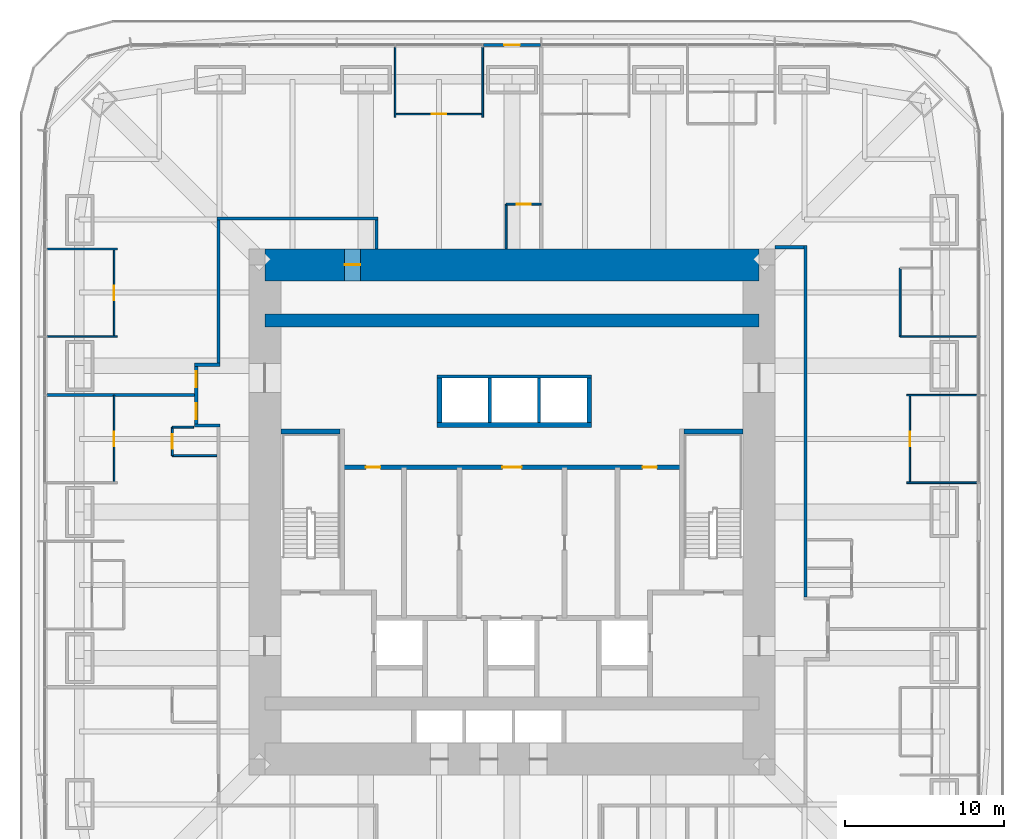
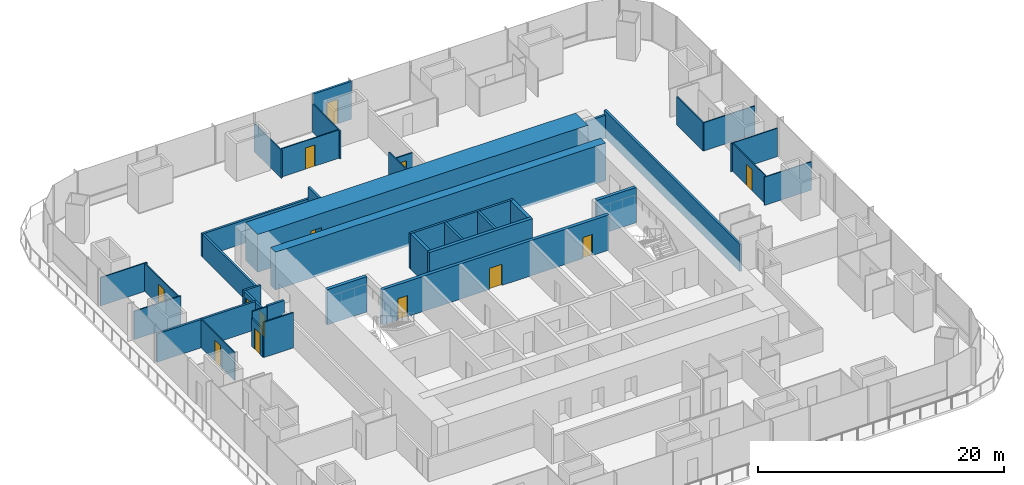
# One storey, part 13 of 16: 38 walls, 13 doors, 13 openings.
"""IFC4 building model written with IfcOpenShell, lengths in metres."""

from ifc_helpers import new_model, si_unit, direction, frame, frame_2d, origin, place, context, subcontext, project, spatial, rectangle, extrude, material, layer, layer_set, type_object, element, fill, save


model = new_model("IFC4")

# Units and contexts
model_context = context("Model", 3, precision=1e-05, world=origin(), true_north=direction((0.0, 1.0)))
body_context = subcontext(model_context, "Body", "Model", "MODEL_VIEW")
ifc_project = project(units=[si_unit("LENGTHUNIT", "METRE"), si_unit("AREAUNIT", "SQUARE_METRE"), si_unit("VOLUMEUNIT", "CUBIC_METRE"), si_unit("PLANEANGLEUNIT", "RADIAN"), si_unit("MASSUNIT", "GRAM", prefix="KILO")], contexts=[model_context])

# Site, building, storey
site_placement = place(None, origin())
site = spatial("IfcSite", under=ifc_project, at=site_placement, CompositionType="ELEMENT")
building_placement = place(site_placement, origin())
building = spatial("IfcBuilding", under=site, at=building_placement, Name="Khuree Lantern Residences", CompositionType="ELEMENT")
storey_placement = place(building_placement, frame((0.0, 0.0, 107.25)))
storey = spatial("IfcBuildingStorey", under=building, at=storey_placement, Name="L26", CompositionType="ELEMENT", Elevation=107.25)

# Wall
ifc_material_1 = material(Name="Moisture-resistant gypsum board on steel studs", Category="steel")
ifc_layer_1 = layer(ifc_material_1, 0.125)
ifc_layer_set_1 = layer_set([ifc_layer_1], Name="BATHROOM WALL BTW125")
wall_type_1 = type_object("IfcWallType", Name="BATHROOM WALL BTW125", PredefinedType="PARTITIONING", material=ifc_layer_set_1)
wall_1_placement = place(storey_placement, frame((24.329833984375, 10.991943359375, 0.0), z_axis=(0.0, 0.0, 1.0), x_axis=(0.0, 1.0, 0.0)))
element("IfcWall", 1, at=wall_1_placement, inside=storey, type_object=wall_type_1, Name="L26 BATHROOM WALL 01", PredefinedType="PARTITIONING", context=body_context, shape_type="SweptSolid", body=[
    extrude(rectangle(XDim=4.296142578125, YDim=0.125, at=frame_2d((2.14794921875, 0.0))), origin(), (0.0, 0.0, 1.0), 2.81005859375),
])

# Wall, opening, door
wall_2_placement = place(storey_placement, frame((1.83203125, 19.300048828125, 0.0), z_axis=(0.0, 0.0, 1.0), x_axis=(-1.0, 0.0, 0.0)))
wall_2 = element("IfcWall", 2, at=wall_2_placement, inside=storey, type_object=wall_type_1, Name="L26 BATHROOM WALL 02", PredefinedType="PARTITIONING", context=body_context, shape_type="SweptSolid", body=[
    extrude(rectangle(XDim=2.199951171875, YDim=0.125, at=frame_2d((1.10009765625, 0.0))), origin(), (0.0, 0.0, 1.0), 2.699951171875),
])
opening_1_placement = place(wall_2_placement, frame((0.64990234375, 0.0, 0.0)))
opening_1 = element("IfcOpeningElement", 3, at=opening_1_placement, cuts=wall_2, Name="Opening 26-032", PredefinedType="OPENING", context=body_context, shape_type="SweptSolid", body=[
    extrude(rectangle(XDim=0.89990234375, YDim=2.10009765625, at=frame_2d((0.449951171875, 1.050048828125))), frame((0.0, 0.072509765625, 0.0), z_axis=(0.0, -1.0, 0.0), x_axis=(1.0, 0.0, 0.0)), (0.0, 0.0, 1.0), 0.14501953125),
])
ifc_material_2 = material(Name="Timber door leaf in hardwood frame", Category="wood")
door_type_1 = type_object("IfcDoorType", Name="BATHROOM DOOR 900X2100", OperationType="SINGLE_SWING_LEFT", PredefinedType="DOOR", material=ifc_material_2)
door_1_placement = place(opening_1_placement, origin())
door_1 = element("IfcDoor", 4, at=door_1_placement, inside=storey, type_object=door_type_1, Name="Bathroom door 26-032", OperationType="SINGLE_SWING_LEFT", OverallHeight=2.10009765625, OverallWidth=0.89990234375, PredefinedType="DOOR", context=body_context, shape_type="SweptSolid", body=[
    extrude(rectangle(XDim=0.89990234375, YDim=2.10009765625, at=frame_2d((0.449951171875, 1.050048828125))), frame((0.0, 0.02490234375, 0.0), z_axis=(0.0, -1.0, 0.0), x_axis=(1.0, 0.0, 0.0)), (0.0, 0.0, 1.0), 0.050048828125),
])
fill(opening_1, door_1)

# Wall
wall_3_placement = place(storey_placement, frame((-0.367919921875, 16.5, 0.0), z_axis=(0.0, 0.0, 1.0), x_axis=(0.0, 1.0, 0.0)))
element("IfcWall", 5, at=wall_3_placement, inside=storey, type_object=wall_type_1, Name="L26 BATHROOM WALL 02", PredefinedType="PARTITIONING", context=body_context, shape_type="SweptSolid", body=[
    extrude(rectangle(XDim=2.800048828125, YDim=0.125, at=frame_2d((1.39990234375, 0.0))), origin(), (0.0, 0.0, 1.0), 3.5),
])

# Wall, opening, door
wall_4_placement = place(storey_placement, frame((-21.300048828125, 5.327880859375, 0.0), z_axis=(0.0, 0.0, 1.0), x_axis=(0.0, -1.0, 0.0)))
wall_4 = element("IfcWall", 6, at=wall_4_placement, inside=storey, type_object=wall_type_1, Name="L26 BATHROOM WALL 03", PredefinedType="PARTITIONING", context=body_context, shape_type="SweptSolid", body=[
    extrude(rectangle(XDim=1.7998046875, YDim=0.125, at=frame_2d((0.89990234375, 0.0))), origin(), (0.0, 0.0, 1.0), 2.81005859375),
])
opening_2_placement = place(wall_4_placement, frame((0.449951171875, 0.0, 0.0)))
opening_2 = element("IfcOpeningElement", 7, at=opening_2_placement, cuts=wall_4, Name="Opening 26-037", PredefinedType="OPENING", context=body_context, shape_type="SweptSolid", body=[
    extrude(rectangle(XDim=0.89990234375, YDim=2.10009765625, at=frame_2d((0.449951171875, 1.050048828125))), frame((0.0, 0.072509765625, 0.0), z_axis=(0.0, -1.0, 0.0), x_axis=(1.0, 0.0, 0.0)), (0.0, 0.0, 1.0), 0.14501953125),
])
door_2_placement = place(opening_2_placement, origin())
door_2 = element("IfcDoor", 8, at=door_2_placement, inside=storey, type_object=door_type_1, Name="Bathroom door 26-037", OperationType="SINGLE_SWING_LEFT", OverallHeight=2.10009765625, OverallWidth=0.89990234375, PredefinedType="DOOR", context=body_context, shape_type="SweptSolid", body=[
    extrude(rectangle(XDim=0.89990234375, YDim=2.10009765625, at=frame_2d((0.449951171875, 1.050048828125))), frame((0.0, 0.02490234375, 0.0), z_axis=(0.0, -1.0, 0.0), x_axis=(1.0, 0.0, 0.0)), (0.0, 0.0, 1.0), 0.050048828125),
])
fill(opening_2, door_2)

# Walls
wall_5_placement = place(storey_placement, frame((-19.969970703125, 5.327880859375, 0.0), z_axis=(0.0, 0.0, 1.0), x_axis=(-1.0, 0.0, 0.0)))
element("IfcWall", 9, at=wall_5_placement, inside=storey, type_object=wall_type_1, Name="L26 BATHROOM WALL 03", PredefinedType="PARTITIONING", context=body_context, shape_type="SweptSolid", body=[
    extrude(rectangle(XDim=1.330078125, YDim=0.125, at=frame_2d((0.6650390625, 0.0))), origin(), (0.0, 0.0, 1.0), 3.5),
])
wall_6_placement = place(storey_placement, frame((-18.5, 3.528076171875, 0.0), z_axis=(0.0, 0.0, 1.0), x_axis=(-1.0, 0.0, 0.0)))
element("IfcWall", 10, at=wall_6_placement, inside=storey, type_object=wall_type_1, Name="L26 BATHROOM WALL 03", PredefinedType="PARTITIONING", context=body_context, shape_type="SweptSolid", body=[
    extrude(rectangle(XDim=2.800048828125, YDim=0.125, at=frame_2d((1.39990234375, 0.0))), origin(), (0.0, 0.0, 1.0), 3.5),
])
ifc_material_3 = material(Name="Dense concrete blockwork", Category="masonry")
ifc_layer_2 = layer(ifc_material_3, 0.300048828125)
ifc_layer_set_2 = layer_set([ifc_layer_2], Name="CORE PARTITION WALL CPW300 EI 120")
wall_type_2 = type_object("IfcWallType", Name="CORE PARTITION WALL CPW300 EI 120", PredefinedType="PARTITIONING", material=ifc_layer_set_2)
wall_7_placement = place(storey_placement, frame((-4.699951171875, 5.449951171875, 0.0), z_axis=(0.0, 0.0, 1.0), x_axis=(1.0, 0.0, 0.0)))
element("IfcWall", 11, at=wall_7_placement, inside=storey, type_object=wall_type_2, Name="L26 CORE WALL PHS", PredefinedType="PARTITIONING", context=body_context, shape_type="SweptSolid", body=[
    extrude(rectangle(XDim=9.699951171875, YDim=0.300048828125, at=frame_2d((4.85009765625, 0.0))), origin(), (0.0, 0.0, 1.0), 3.5),
])
for number, where, z_axis, x_axis, name in (
    (12, (-4.550048828125, 5.60009765625, 0.0), (0.0, 0.0, 1.0), (0.0, 1.0, 0.0), "L26 CORE WALL PHW"),
    (13, (4.85009765625, 5.60009765625, 0.0), (0.0, 0.0, 1.0), (0.0, 1.0, 0.0), "L26 CORE WALL PHE"),
):
    element("IfcWall", number, at=place(storey_placement, frame(where, z_axis=z_axis, x_axis=x_axis)), inside=storey, type_object=wall_type_2, Name=name, PredefinedType="PARTITIONING", context=body_context, shape_type="SweptSolid", body=[
        extrude(rectangle(XDim=2.7998046875, YDim=0.300048828125, at=frame_2d((1.39990234375, 0.0))), origin(), (0.0, 0.0, 1.0), 3.5),
    ])

# Wall, openings, doors
wall_8_placement = place(storey_placement, frame((-10.64990234375, 2.800048828125, 0.0), z_axis=(0.0, 0.0, 1.0), x_axis=(1.0, 0.0, 0.0)))
wall_8 = element("IfcWall", 14, at=wall_8_placement, inside=storey, type_object=wall_type_2, Name="L26 CORE WALL LLS", PredefinedType="PARTITIONING", context=body_context, shape_type="SweptSolid", body=[
    extrude(rectangle(XDim=21.2998046875, YDim=0.300048828125, at=frame_2d((10.64990234375, 0.0))), origin(), (0.0, 0.0, 1.0), 3.5),
])
opening_3_placement = place(wall_8_placement, frame((10.050048828125, 0.0, 0.0)))
opening_3 = element("IfcOpeningElement", 15, at=opening_3_placement, cuts=wall_8, Name="Opening 26-013", PredefinedType="OPENING", context=body_context, shape_type="SweptSolid", body=[
    extrude(rectangle(XDim=1.199951171875, YDim=2.10009765625, at=frame_2d((0.60009765625, 1.050048828125))), frame((0.0, 0.16015625, 0.0), z_axis=(0.0, -1.0, 0.0), x_axis=(1.0, 0.0, 0.0)), (0.0, 0.0, 1.0), 0.320068359375),
])
opening_4_placement = place(wall_8_placement, frame((1.492919921875, 0.0, 0.0)))
opening_4 = element("IfcOpeningElement", 16, at=opening_4_placement, cuts=wall_8, Name="Opening 26-017", PredefinedType="OPENING", context=body_context, shape_type="SweptSolid", body=[
    extrude(rectangle(XDim=0.89990234375, YDim=2.10009765625, at=frame_2d((0.449951171875, 1.050048828125))), frame((0.0, 0.16015625, 0.0), z_axis=(0.0, -1.0, 0.0), x_axis=(1.0, 0.0, 0.0)), (0.0, 0.0, 1.0), 0.320068359375),
])
opening_5_placement = place(wall_8_placement, frame((18.8359375, 0.0, 0.0)))
opening_5 = element("IfcOpeningElement", 17, at=opening_5_placement, cuts=wall_8, Name="Opening 26-019", PredefinedType="OPENING", context=body_context, shape_type="SweptSolid", body=[
    extrude(rectangle(XDim=0.89990234375, YDim=2.10009765625, at=frame_2d((0.449951171875, 1.050048828125))), frame((0.0, 0.16015625, 0.0), z_axis=(0.0, -1.0, 0.0), x_axis=(1.0, 0.0, 0.0)), (0.0, 0.0, 1.0), 0.320068359375),
])
ifc_material_4 = material(Name="Steel door leaf in steel frame", Category="steel")
door_type_2 = type_object("IfcDoorType", Name="DOOR 1200X2100 EI 60", OperationType="SINGLE_SWING_LEFT", PredefinedType="DOOR", material=ifc_material_4)
door_3_placement = place(opening_3_placement, origin())
door_3 = element("IfcDoor", 18, at=door_3_placement, inside=storey, type_object=door_type_2, Name="Service lift lobby door 26-013", OperationType="SINGLE_SWING_LEFT", OverallHeight=2.10009765625, OverallWidth=1.199951171875, PredefinedType="DOOR", context=body_context, shape_type="SweptSolid", body=[
    extrude(rectangle(XDim=1.199951171875, YDim=2.10009765625, at=frame_2d((0.60009765625, 1.050048828125))), frame((0.0, 0.02490234375, 0.0), z_axis=(0.0, -1.0, 0.0), x_axis=(1.0, 0.0, 0.0)), (0.0, 0.0, 1.0), 0.050048828125),
])
fill(opening_3, door_3)
door_type_3 = type_object("IfcDoorType", Name="DOOR 900X2100", OperationType="SINGLE_SWING_LEFT", PredefinedType="DOOR", material=ifc_material_2)
door_4_placement = place(opening_4_placement, origin())
door_4 = element("IfcDoor", 19, at=door_4_placement, inside=storey, type_object=door_type_3, Name="Residents' store door 26-017", OperationType="SINGLE_SWING_LEFT", OverallHeight=2.10009765625, OverallWidth=0.89990234375, PredefinedType="DOOR", context=body_context, shape_type="SweptSolid", body=[
    extrude(rectangle(XDim=0.89990234375, YDim=2.10009765625, at=frame_2d((0.449951171875, 1.050048828125))), frame((0.0, 0.02490234375, 0.0), z_axis=(0.0, -1.0, 0.0), x_axis=(1.0, 0.0, 0.0)), (0.0, 0.0, 1.0), 0.050048828125),
])
fill(opening_4, door_4)
door_type_4 = type_object("IfcDoorType", Name="DOOR 900X2100 RIGHT HAND", OperationType="SINGLE_SWING_RIGHT", PredefinedType="DOOR", material=ifc_material_2)
door_5_placement = place(opening_5_placement, origin())
door_5 = element("IfcDoor", 20, at=door_5_placement, inside=storey, type_object=door_type_4, Name="Residents' store door 26-019", OperationType="SINGLE_SWING_RIGHT", OverallHeight=2.10009765625, OverallWidth=0.89990234375, PredefinedType="DOOR", context=body_context, shape_type="SweptSolid", body=[
    extrude(rectangle(XDim=0.89990234375, YDim=2.10009765625, at=frame_2d((0.449951171875, 1.050048828125))), frame((0.0, 0.02490234375, 0.0), z_axis=(0.0, -1.0, 0.0), x_axis=(1.0, 0.0, 0.0)), (0.0, 0.0, 1.0), 0.050048828125),
])
fill(opening_5, door_5)

# Walls
ifc_material_5 = material(Name="Gypsum board on steel studs", Category="steel")
ifc_layer_3 = layer(ifc_material_5, 0.199951171875)
ifc_layer_set_3 = layer_set([ifc_layer_3], Name="CORRIDOR WALL CRW200 EI 60")
wall_type_3 = type_object("IfcWallType", Name="CORRIDOR WALL CRW200 EI 60", PredefinedType="PARTITIONING", material=ifc_layer_set_3)
wall_9_placement = place(storey_placement, frame((16.5, 16.60009765625, 0.0), z_axis=(0.0, 0.0, 1.0), x_axis=(1.0, 0.0, 0.0)))
element("IfcWall", 21, at=wall_9_placement, inside=storey, type_object=wall_type_3, Name="L26 EAST CORRIDOR NORTH END WALL", PredefinedType="PARTITIONING", context=body_context, shape_type="SweptSolid", body=[
    extrude(rectangle(XDim=1.800048828125, YDim=0.199951171875, at=frame_2d((0.89990234375, 0.0))), origin(), (0.0, 0.0, 1.0), 2.300048828125),
])
wall_10_placement = place(storey_placement, frame((-18.5, 18.39990234375, 0.0), z_axis=(0.0, 0.0, 1.0), x_axis=(1.0, 0.0, 0.0)))
element("IfcWall", 22, at=wall_10_placement, inside=storey, type_object=wall_type_3, Name="L26 CORRIDOR WALL NORTH", PredefinedType="PARTITIONING", context=body_context, shape_type="SweptSolid", body=[
    extrude(rectangle(XDim=10.10009765625, YDim=0.199951171875, at=frame_2d((5.050048828125, 0.0))), origin(), (0.0, 0.0, 1.0), 2.300048828125),
])
wall_11_placement = place(storey_placement, frame((-8.5, 18.300048828125, 0.0), z_axis=(0.0, 0.0, 1.0), x_axis=(0.0, -1.0, 0.0)))
element("IfcWall", 23, at=wall_11_placement, inside=storey, type_object=wall_type_3, Name="L26 NORTH CORRIDOR END WALL", PredefinedType="PARTITIONING", context=body_context, shape_type="SweptSolid", body=[
    extrude(rectangle(XDim=1.800048828125, YDim=0.199951171875, at=frame_2d((0.89990234375, 0.0))), origin(), (0.0, 0.0, 1.0), 3.5),
])
wall_12_placement = place(storey_placement, frame((18.39990234375, -5.327880859375, 0.0), z_axis=(0.0, 0.0, 1.0), x_axis=(0.0, 1.0, 0.0)))
element("IfcWall", 24, at=wall_12_placement, inside=storey, type_object=wall_type_3, Name="L26 CORRIDOR WALL EAST 2", PredefinedType="PARTITIONING", context=body_context, shape_type="SweptSolid", body=[
    extrude(rectangle(XDim=22.02783203125, YDim=0.199951171875, at=frame_2d((11.013916015625, 0.0))), origin(), (0.0, 0.0, 1.0), 2.699951171875),
])
wall_13_placement = place(storey_placement, frame((-18.39990234375, 18.300048828125, 0.0), z_axis=(0.0, 0.0, 1.0), x_axis=(0.0, -1.0, 0.0)))
element("IfcWall", 25, at=wall_13_placement, inside=storey, type_object=wall_type_3, Name="L26 CORRIDOR WALL WEST 1", PredefinedType="PARTITIONING", context=body_context, shape_type="SweptSolid", body=[
    extrude(rectangle(XDim=8.97216796875, YDim=0.199951171875, at=frame_2d((4.486083984375, 0.0))), origin(), (0.0, 0.0, 1.0), 2.300048828125),
])
wall_14_placement = place(storey_placement, frame((-18.300048828125, 9.22802734375, 0.0), z_axis=(0.0, 0.0, 1.0), x_axis=(-1.0, 0.0, 0.0)))
element("IfcWall", 26, at=wall_14_placement, inside=storey, type_object=wall_type_3, Name="L26 CORRIDOR ALCOVE WALL WEST", PredefinedType="PARTITIONING", context=body_context, shape_type="SweptSolid", body=[
    extrude(rectangle(XDim=1.599853515625, YDim=0.199951171875, at=frame_2d((0.7998046875, 0.0))), origin(), (0.0, 0.0, 1.0), 2.699951171875),
])
wall_15_placement = place(storey_placement, frame((-18.300048828125, 5.427978515625, 0.0), z_axis=(0.0, 0.0, 1.0), x_axis=(-1.0, 0.0, 0.0)))
element("IfcWall", 27, at=wall_15_placement, inside=storey, type_object=wall_type_3, Name="L26 CORRIDOR ALCOVE WALL WEST", PredefinedType="PARTITIONING", context=body_context, shape_type="SweptSolid", body=[
    extrude(rectangle(XDim=1.599853515625, YDim=0.199951171875, at=frame_2d((0.7998046875, 0.0))), origin(), (0.0, 0.0, 1.0), 3.5),
])

# Wall, openings, doors
wall_16_placement = place(storey_placement, frame((-19.800048828125, 9.1279296875, 0.0), z_axis=(0.0, 0.0, 1.0), x_axis=(0.0, -1.0, 0.0)))
wall_16 = element("IfcWall", 28, at=wall_16_placement, inside=storey, type_object=wall_type_3, Name="L26 CORRIDOR ALCOVE WALL WEST", PredefinedType="PARTITIONING", context=body_context, shape_type="SweptSolid", body=[
    extrude(rectangle(XDim=3.599853515625, YDim=0.199951171875, at=frame_2d((1.7998046875, 0.0))), origin(), (0.0, 0.0, 1.0), 2.699951171875),
])
opening_6_placement = place(wall_16_placement, frame((0.300048828125, 0.0, 0.0)))
opening_6 = element("IfcOpeningElement", 29, at=opening_6_placement, cuts=wall_16, Name="Opening 26-033", PredefinedType="OPENING", context=body_context, shape_type="SweptSolid", body=[
    extrude(rectangle(XDim=1.0, YDim=2.199951171875, at=frame_2d((0.5, 1.10009765625))), frame((0.0, 0.10986328125, 0.0), z_axis=(0.0, -1.0, 0.0), x_axis=(1.0, 0.0, 0.0)), (0.0, 0.0, 1.0), 0.219970703125),
])
opening_7_placement = place(wall_16_placement, frame((2.300048828125, 0.0, 0.0)))
opening_7 = element("IfcOpeningElement", 30, at=opening_7_placement, cuts=wall_16, Name="Opening 26-038", PredefinedType="OPENING", context=body_context, shape_type="SweptSolid", body=[
    extrude(rectangle(XDim=1.0, YDim=2.199951171875, at=frame_2d((0.5, 1.10009765625))), frame((0.0, 0.10986328125, 0.0), z_axis=(0.0, -1.0, 0.0), x_axis=(1.0, 0.0, 0.0)), (0.0, 0.0, 1.0), 0.219970703125),
])
door_type_5 = type_object("IfcDoorType", Name="APARTMENT ENTRANCE DOOR 1000X2200 EI 30S", OperationType="SINGLE_SWING_LEFT", PredefinedType="DOOR", material=ifc_material_2)
door_6_placement = place(opening_6_placement, origin())
door_6 = element("IfcDoor", 31, at=door_6_placement, inside=storey, type_object=door_type_5, Name="Apartment 02 entrance door 26-033", OperationType="SINGLE_SWING_LEFT", OverallHeight=2.199951171875, OverallWidth=1.0, PredefinedType="DOOR", context=body_context, shape_type="SweptSolid", body=[
    extrude(rectangle(XDim=1.0, YDim=2.199951171875, at=frame_2d((0.5, 1.10009765625))), frame((0.0, 0.02490234375, 0.0), z_axis=(0.0, -1.0, 0.0), x_axis=(1.0, 0.0, 0.0)), (0.0, 0.0, 1.0), 0.050048828125),
])
fill(opening_6, door_6)
door_type_6 = type_object("IfcDoorType", Name="APARTMENT ENTRANCE DOOR 1000X2200 EI 30S RIGHT HAND", OperationType="SINGLE_SWING_RIGHT", PredefinedType="DOOR", material=ifc_material_2)
door_7_placement = place(opening_7_placement, origin())
door_7 = element("IfcDoor", 32, at=door_7_placement, inside=storey, type_object=door_type_6, Name="Apartment 03 entrance door 26-038", OperationType="SINGLE_SWING_RIGHT", OverallHeight=2.199951171875, OverallWidth=1.0, PredefinedType="DOOR", context=body_context, shape_type="SweptSolid", body=[
    extrude(rectangle(XDim=1.0, YDim=2.199951171875, at=frame_2d((0.5, 1.10009765625))), frame((0.0, 0.02490234375, 0.0), z_axis=(0.0, -1.0, 0.0), x_axis=(1.0, 0.0, 0.0)), (0.0, 0.0, 1.0), 0.050048828125),
])
fill(opening_7, door_7)

# Wall, opening, door
ifc_material_6 = material(Name="Concrete C70/85", Category="concrete")
ifc_layer_4 = layer(ifc_material_6, 2.0)
ifc_layer_set_4 = layer_set([ifc_layer_4], Name="CW2000-C70 CORE WALL C70 2000")
wall_type_4 = type_object("IfcWallType", Name="CW2000-C70 CORE WALL C70 2000", PredefinedType="SHEAR", material=ifc_layer_set_4)
wall_17_placement = place(storey_placement, frame((-15.5, 15.5, -0.25), z_axis=(0.0, 0.0, 1.0), x_axis=(1.0, 0.0, 0.0)))
wall_17 = element("IfcWall", 33, at=wall_17_placement, inside=storey, type_object=wall_type_4, Name="Core wall N", PredefinedType="SHEAR", context=body_context, shape_type="SweptSolid", body=[
    extrude(rectangle(XDim=31.0, YDim=2.0, at=frame_2d((15.5, 0.0))), origin(), (0.0, 0.0, 1.0), 3.75),
])
opening_8_placement = place(wall_17_placement, frame((5.0, 0.0, 0.25)))
opening_8 = element("IfcOpeningElement", 34, at=opening_8_placement, cuts=wall_17, Name="Opening 26-020", PredefinedType="OPENING", context=body_context, shape_type="SweptSolid", body=[
    extrude(rectangle(XDim=1.0, YDim=2.10009765625, at=frame_2d((0.5, 1.050048828125))), frame((0.0, 1.010009765625, 0.0), z_axis=(0.0, -1.0, 0.0), x_axis=(1.0, 0.0, 0.0)), (0.0, 0.0, 1.0), 2.02001953125),
])
door_type_7 = type_object("IfcDoorType", Name="DOOR 1000X2100 EI 60 RIGHT HAND", OperationType="SINGLE_SWING_RIGHT", PredefinedType="DOOR", material=ifc_material_4)
door_8_placement = place(opening_8_placement, origin())
door_8 = element("IfcDoor", 35, at=door_8_placement, inside=storey, type_object=door_type_7, Name="Residents' store door 26-020", OperationType="SINGLE_SWING_RIGHT", OverallHeight=2.10009765625, OverallWidth=1.0, PredefinedType="DOOR", context=body_context, shape_type="SweptSolid", body=[
    extrude(rectangle(XDim=1.0, YDim=2.10009765625, at=frame_2d((0.5, 1.050048828125))), frame((0.0, 0.02490234375, 0.0), z_axis=(0.0, -1.0, 0.0), x_axis=(1.0, 0.0, 0.0)), (0.0, 0.0, 1.0), 0.050048828125),
])
fill(opening_8, door_8)

# Walls
ifc_layer_5 = layer(ifc_material_5, 0.199951171875)
ifc_layer_set_5 = layer_set([ifc_layer_5], Name="DEMISING WALL DMW200 EI 90")
wall_type_5 = type_object("IfcWallType", Name="DEMISING WALL DMW200 EI 90", PredefinedType="PARTITIONING", material=ifc_layer_set_5)
wall_18_placement = place(storey_placement, frame((-19.89990234375, 7.327880859375, 0.0), z_axis=(0.0, 0.0, 1.0), x_axis=(-1.0, 0.0, 0.0)))
element("IfcWall", 36, at=wall_18_placement, inside=storey, type_object=wall_type_5, Name="L26 DEMISING WALL 03", PredefinedType="PARTITIONING", context=body_context, shape_type="SweptSolid", body=[
    extrude(rectangle(XDim=9.25, YDim=0.199951171875, at=frame_2d((4.625, 0.0))), origin(), (0.0, 0.0, 1.0), 2.81005859375),
])
ifc_layer_6 = layer(ifc_material_5, 0.10009765625)
ifc_layer_set_6 = layer_set([ifc_layer_6], Name="PARTITION PT100")
wall_type_6 = type_object("IfcWallType", Name="PARTITION PT100", PredefinedType="PARTITIONING", material=ifc_layer_set_6)
for number, where, z_axis, x_axis, name in (
    (37, (24.75, 1.83203125, 0.0), (0.0, 0.0, 1.0), (1.0, 0.0, 0.0), "L26 PARTITION 01"),
    (38, (24.75, 7.327880859375, 0.0), (0.0, 0.0, 1.0), (1.0, 0.0, 0.0), "L26 PARTITION 01"),
):
    element("IfcWall", number, at=place(storey_placement, frame(where, z_axis=z_axis, x_axis=x_axis)), inside=storey, type_object=wall_type_6, Name=name, PredefinedType="PARTITIONING", context=body_context, shape_type="SweptSolid", body=[
        extrude(rectangle(XDim=4.39990234375, YDim=0.10009765625, at=frame_2d((2.199951171875, 0.0))), origin(), (0.0, 0.0, 1.0), 2.81005859375),
    ])
wall_19_placement = place(storey_placement, frame((24.329833984375, 10.991943359375, 0.0), z_axis=(0.0, 0.0, 1.0), x_axis=(1.0, 0.0, 0.0)))
element("IfcWall", 39, at=wall_19_placement, inside=storey, type_object=wall_type_6, Name="L26 PARTITION 01", PredefinedType="PARTITIONING", context=body_context, shape_type="SweptSolid", body=[
    extrude(rectangle(XDim=4.820068359375, YDim=0.10009765625, at=frame_2d((2.41015625, 0.0))), origin(), (0.0, 0.0, 1.0), 2.81005859375),
])
for number, where, z_axis, x_axis, name in (
    (40, (-1.83203125, 24.75, 0.0), (0.0, 0.0, 1.0), (0.0, 1.0, 0.0), "L26 PARTITION 02"),
    (41, (-7.327880859375, 24.75, 0.0), (0.0, 0.0, 1.0), (0.0, 1.0, 0.0), "L26 PARTITION 02"),
    (42, (-24.75, 16.488037109375, 0.0), (0.0, 0.0, 1.0), (-1.0, 0.0, 0.0), "L26 PARTITION 02"),
    (43, (-24.75, 10.991943359375, 0.0), (0.0, 0.0, 1.0), (-1.0, 0.0, 0.0), "L26 PARTITION 02"),
):
    element("IfcWall", number, at=place(storey_placement, frame(where, z_axis=z_axis, x_axis=x_axis)), inside=storey, type_object=wall_type_6, Name=name, PredefinedType="PARTITIONING", context=body_context, shape_type="SweptSolid", body=[
        extrude(rectangle(XDim=4.39990234375, YDim=0.10009765625, at=frame_2d((2.199951171875, 0.0))), origin(), (0.0, 0.0, 1.0), 2.81005859375),
    ])

# Wall, opening, door
wall_20_placement = place(storey_placement, frame((24.949951171875, 1.83203125, 0.0), z_axis=(0.0, 0.0, 1.0), x_axis=(0.0, 1.0, 0.0)))
wall_20 = element("IfcWall", 44, at=wall_20_placement, inside=storey, type_object=wall_type_6, Name="L26 PARTITION 01", PredefinedType="PARTITIONING", context=body_context, shape_type="SweptSolid", body=[
    extrude(rectangle(XDim=5.495849609375, YDim=0.10009765625, at=frame_2d((2.748046875, 0.0))), origin(), (0.0, 0.0, 1.0), 2.81005859375),
])
opening_9_placement = place(wall_20_placement, frame((2.298095703125, 0.0, 0.0)))
opening_9 = element("IfcOpeningElement", 45, at=opening_9_placement, cuts=wall_20, Name="Opening 26-021", PredefinedType="OPENING", context=body_context, shape_type="SweptSolid", body=[
    extrude(rectangle(XDim=0.89990234375, YDim=2.10009765625, at=frame_2d((0.449951171875, 1.050048828125))), frame((0.0, 0.06005859375, 0.0), z_axis=(0.0, -1.0, 0.0), x_axis=(1.0, 0.0, 0.0)), (0.0, 0.0, 1.0), 0.1201171875),
])
door_type_8 = type_object("IfcDoorType", Name="BEDROOM DOOR 900X2100", OperationType="SINGLE_SWING_LEFT", PredefinedType="DOOR", material=ifc_material_2)
door_9_placement = place(opening_9_placement, origin())
door_9 = element("IfcDoor", 46, at=door_9_placement, inside=storey, type_object=door_type_8, Name="Bedroom door 26-021", OperationType="SINGLE_SWING_LEFT", OverallHeight=2.10009765625, OverallWidth=0.89990234375, PredefinedType="DOOR", context=body_context, shape_type="SweptSolid", body=[
    extrude(rectangle(XDim=0.89990234375, YDim=2.10009765625, at=frame_2d((0.449951171875, 1.050048828125))), frame((0.0, 0.02490234375, 0.0), z_axis=(0.0, -1.0, 0.0), x_axis=(1.0, 0.0, 0.0)), (0.0, 0.0, 1.0), 0.050048828125),
])
fill(opening_9, door_9)

wall_21_placement = place(storey_placement, frame((-1.83203125, 24.949951171875, 0.0), z_axis=(0.0, 0.0, 1.0), x_axis=(-1.0, 0.0, 0.0)))
wall_21 = element("IfcWall", 47, at=wall_21_placement, inside=storey, type_object=wall_type_6, Name="L26 PARTITION 02", PredefinedType="PARTITIONING", context=body_context, shape_type="SweptSolid", body=[
    extrude(rectangle(XDim=5.495849609375, YDim=0.10009765625, at=frame_2d((2.748046875, 0.0))), origin(), (0.0, 0.0, 1.0), 2.81005859375),
])
opening_10_placement = place(wall_21_placement, frame((2.298095703125, 0.0, 0.0)))
opening_10 = element("IfcOpeningElement", 48, at=opening_10_placement, cuts=wall_21, Name="Opening 26-030", PredefinedType="OPENING", context=body_context, shape_type="SweptSolid", body=[
    extrude(rectangle(XDim=0.89990234375, YDim=2.10009765625, at=frame_2d((0.449951171875, 1.050048828125))), frame((0.0, 0.06005859375, 0.0), z_axis=(0.0, -1.0, 0.0), x_axis=(1.0, 0.0, 0.0)), (0.0, 0.0, 1.0), 0.1201171875),
])
door_10_placement = place(opening_10_placement, origin())
door_10 = element("IfcDoor", 49, at=door_10_placement, inside=storey, type_object=door_type_8, Name="Bedroom door 26-030", OperationType="SINGLE_SWING_LEFT", OverallHeight=2.10009765625, OverallWidth=0.89990234375, PredefinedType="DOOR", context=body_context, shape_type="SweptSolid", body=[
    extrude(rectangle(XDim=0.89990234375, YDim=2.10009765625, at=frame_2d((0.449951171875, 1.050048828125))), frame((0.0, 0.02490234375, 0.0), z_axis=(0.0, -1.0, 0.0), x_axis=(1.0, 0.0, 0.0)), (0.0, 0.0, 1.0), 0.050048828125),
])
fill(opening_10, door_10)

wall_22_placement = place(storey_placement, frame((-24.949951171875, 16.488037109375, 0.0), z_axis=(0.0, 0.0, 1.0), x_axis=(0.0, -1.0, 0.0)))
wall_22 = element("IfcWall", 50, at=wall_22_placement, inside=storey, type_object=wall_type_6, Name="L26 PARTITION 02", PredefinedType="PARTITIONING", context=body_context, shape_type="SweptSolid", body=[
    extrude(rectangle(XDim=5.49609375, YDim=0.10009765625, at=frame_2d((2.748046875, 0.0))), origin(), (0.0, 0.0, 1.0), 2.81005859375),
])
opening_11_placement = place(wall_22_placement, frame((2.298095703125, 0.0, 0.0)))
opening_11 = element("IfcOpeningElement", 51, at=opening_11_placement, cuts=wall_22, Name="Opening 26-031", PredefinedType="OPENING", context=body_context, shape_type="SweptSolid", body=[
    extrude(rectangle(XDim=0.89990234375, YDim=2.10009765625, at=frame_2d((0.449951171875, 1.050048828125))), frame((0.0, 0.06005859375, 0.0), z_axis=(0.0, -1.0, 0.0), x_axis=(1.0, 0.0, 0.0)), (0.0, 0.0, 1.0), 0.1201171875),
])
door_11_placement = place(opening_11_placement, origin())
door_11 = element("IfcDoor", 52, at=door_11_placement, inside=storey, type_object=door_type_8, Name="Bedroom door 26-031", OperationType="SINGLE_SWING_LEFT", OverallHeight=2.10009765625, OverallWidth=0.89990234375, PredefinedType="DOOR", context=body_context, shape_type="SweptSolid", body=[
    extrude(rectangle(XDim=0.89990234375, YDim=2.10009765625, at=frame_2d((0.449951171875, 1.050048828125))), frame((0.0, 0.02490234375, 0.0), z_axis=(0.0, -1.0, 0.0), x_axis=(1.0, 0.0, 0.0)), (0.0, 0.0, 1.0), 0.050048828125),
])
fill(opening_11, door_11)

wall_23_placement = place(storey_placement, frame((-24.949951171875, 7.327880859375, 0.0), z_axis=(0.0, 0.0, 1.0), x_axis=(0.0, -1.0, 0.0)))
wall_23 = element("IfcWall", 53, at=wall_23_placement, inside=storey, type_object=wall_type_6, Name="L26 PARTITION 03", PredefinedType="PARTITIONING", context=body_context, shape_type="SweptSolid", body=[
    extrude(rectangle(XDim=5.495849609375, YDim=0.10009765625, at=frame_2d((2.748046875, 0.0))), origin(), (0.0, 0.0, 1.0), 2.81005859375),
])
opening_12_placement = place(wall_23_placement, frame((2.298095703125, 0.0, 0.0)))
opening_12 = element("IfcOpeningElement", 54, at=opening_12_placement, cuts=wall_23, Name="Opening 26-034", PredefinedType="OPENING", context=body_context, shape_type="SweptSolid", body=[
    extrude(rectangle(XDim=0.89990234375, YDim=2.10009765625, at=frame_2d((0.449951171875, 1.050048828125))), frame((0.0, 0.06005859375, 0.0), z_axis=(0.0, -1.0, 0.0), x_axis=(1.0, 0.0, 0.0)), (0.0, 0.0, 1.0), 0.1201171875),
])
door_12_placement = place(opening_12_placement, origin())
door_12 = element("IfcDoor", 55, at=door_12_placement, inside=storey, type_object=door_type_8, Name="Bedroom door 26-034", OperationType="SINGLE_SWING_LEFT", OverallHeight=2.10009765625, OverallWidth=0.89990234375, PredefinedType="DOOR", context=body_context, shape_type="SweptSolid", body=[
    extrude(rectangle(XDim=0.89990234375, YDim=2.10009765625, at=frame_2d((0.449951171875, 1.050048828125))), frame((0.0, 0.02490234375, 0.0), z_axis=(0.0, -1.0, 0.0), x_axis=(1.0, 0.0, 0.0)), (0.0, 0.0, 1.0), 0.050048828125),
])
fill(opening_12, door_12)

# Walls
ifc_layer_7 = layer(ifc_material_3, 0.199951171875)
ifc_layer_set_7 = layer_set([ifc_layer_7], Name="SHAFT WALL SHW200 EI 120")
wall_type_7 = type_object("IfcWallType", Name="SHAFT WALL SHW200 EI 120", PredefinedType="PARTITIONING", material=ifc_layer_set_7)
wall_24_placement = place(storey_placement, frame((-4.699951171875, 8.5, 0.0), z_axis=(0.0, 0.0, 1.0), x_axis=(1.0, 0.0, 0.0)))
element("IfcWall", 56, at=wall_24_placement, inside=storey, type_object=wall_type_7, Name="L26 CORE WALL PHN", PredefinedType="PARTITIONING", context=body_context, shape_type="SweptSolid", body=[
    extrude(rectangle(XDim=9.699951171875, YDim=0.199951171875, at=frame_2d((4.85009765625, 0.0))), origin(), (0.0, 0.0, 1.0), 3.5),
])
for number, where, z_axis, x_axis, name in (
    (57, (-1.39990234375, 5.60009765625, 0.0), (0.0, 0.0, 1.0), (0.0, 1.0, 0.0), "L26 CORE WALL PHD1"),
    (58, (1.699951171875, 5.60009765625, 0.0), (0.0, 0.0, 1.0), (0.0, 1.0, 0.0), "L26 CORE WALL PHD2"),
):
    element("IfcWall", number, at=place(storey_placement, frame(where, z_axis=z_axis, x_axis=x_axis)), inside=storey, type_object=wall_type_7, Name=name, PredefinedType="PARTITIONING", context=body_context, shape_type="SweptSolid", body=[
        extrude(rectangle(XDim=2.7998046875, YDim=0.199951171875, at=frame_2d((1.39990234375, 0.0))), origin(), (0.0, 0.0, 1.0), 3.5),
    ])
ifc_layer_8 = layer(ifc_material_6, 0.800048828125)
ifc_layer_set_8 = layer_set([ifc_layer_8], Name="SP800-C70 CORE SPINE WALL C70 800")
wall_type_8 = type_object("IfcWallType", Name="SP800-C70 CORE SPINE WALL C70 800", PredefinedType="SHEAR", material=ifc_layer_set_8)
wall_25_placement = place(storey_placement, frame((-15.5, 12.0, -0.25), z_axis=(0.0, 0.0, 1.0), x_axis=(1.0, 0.0, 0.0)))
element("IfcWall", 59, at=wall_25_placement, inside=storey, type_object=wall_type_8, Name="Core wall SPN", PredefinedType="SHEAR", context=body_context, shape_type="SweptSolid", body=[
    extrude(rectangle(XDim=31.0, YDim=0.800048828125, at=frame_2d((15.5, 0.0))), origin(), (0.0, 0.0, 1.0), 3.75),
])
ifc_material_7 = material(Name="Concrete C50/60", Category="concrete")
ifc_layer_9 = layer(ifc_material_7, 0.300048828125)
ifc_layer_set_9 = layer_set([ifc_layer_9], Name="STAIR WALL SRW300 C50/60 REI 240")
wall_type_9 = type_object("IfcWallType", Name="STAIR WALL SRW300 C50/60 REI 240", PredefinedType="SOLIDWALL", material=ifc_layer_set_9)
for number, where, z_axis, x_axis, name in (
    (60, (-14.5, 5.050048828125, 0.0), (0.0, 0.0, 1.0), (1.0, 0.0, 0.0), "L26 STAIR WALL ST1N"),
    (61, (14.5, 5.050048828125, 0.0), (0.0, 0.0, 1.0), (-1.0, 0.0, 0.0), "L26 STAIR WALL ST2N"),
):
    element("IfcWall", number, at=place(storey_placement, frame(where, z_axis=z_axis, x_axis=x_axis)), inside=storey, type_object=wall_type_9, Name=name, PredefinedType="SOLIDWALL", context=body_context, shape_type="SweptSolid", body=[
        extrude(rectangle(XDim=3.699951171875, YDim=0.300048828125, at=frame_2d((1.85009765625, 0.0))), origin(), (0.0, 0.0, 1.0), 3.5),
    ])

# Wall, opening, door
ifc_material_8 = material(Name="Bronze anodised aluminium insulated panel", Category="aluminium")
ifc_layer_10 = layer(ifc_material_8, 0.199951171875)
ifc_layer_set_10 = layer_set([ifc_layer_10], Name="TERRACE DOOR SURROUND TS1 200")
wall_type_10 = type_object("IfcWallType", Name="TERRACE DOOR SURROUND TS1 200", PredefinedType="ELEMENTEDWALL", material=ifc_layer_set_10)
wall_26_placement = place(storey_placement, frame((1.799560546875, 29.280029296875, 0.0), z_axis=(0.0, 0.0, 1.0), x_axis=(-1.0, 0.0, 0.0)))
wall_26 = element("IfcWall", 62, at=wall_26_placement, inside=storey, type_object=wall_type_10, Name="L26 NORTH FACE TERRACE DOOR SURROUND 23", PredefinedType="ELEMENTEDWALL", context=body_context, shape_type="SweptSolid", body=[
    extrude(rectangle(XDim=3.59912109375, YDim=0.199951171875, at=frame_2d((1.799560546875, 0.0))), origin(), (0.0, 0.0, 1.0), 3.75),
])
opening_13_placement = place(wall_26_placement, frame((1.299560546875, 0.0, 0.0)))
opening_13 = element("IfcOpeningElement", 63, at=opening_13_placement, cuts=wall_26, Name="Opening 26-T02", PredefinedType="OPENING", context=body_context, shape_type="SweptSolid", body=[
    extrude(rectangle(XDim=1.0, YDim=2.39990234375, at=frame_2d((0.5, 1.199951171875))), frame((0.0, 0.10986328125, 0.0), z_axis=(0.0, -1.0, 0.0), x_axis=(1.0, 0.0, 0.0)), (0.0, 0.0, 1.0), 0.219970703125),
])
ifc_material_9 = material(Name="Bronze anodised aluminium framed triple glazing", Category="aluminium")
door_type_9 = type_object("IfcDoorType", Name="TERRACE DOOR D-T1 1000X2400", OperationType="SINGLE_SWING_RIGHT", PredefinedType="DOOR", material=ifc_material_9)
door_13_placement = place(opening_13_placement, origin())
door_13 = element("IfcDoor", 64, at=door_13_placement, inside=storey, type_object=door_type_9, Name="L26 NORTH FACE TERRACE DOOR 26-T02", OperationType="SINGLE_SWING_LEFT", OverallHeight=2.39990234375, OverallWidth=1.0, PredefinedType="DOOR", context=body_context, shape_type="SweptSolid", body=[
    extrude(rectangle(XDim=1.0, YDim=2.39990234375, at=frame_2d((0.5, 1.199951171875))), frame((0.0, 0.02490234375, 0.0), z_axis=(0.0, -1.0, 0.0), x_axis=(1.0, 0.0, 0.0)), (0.0, 0.0, 1.0), 0.050048828125),
])
fill(opening_13, door_13)

save(model, "model.ifc")
